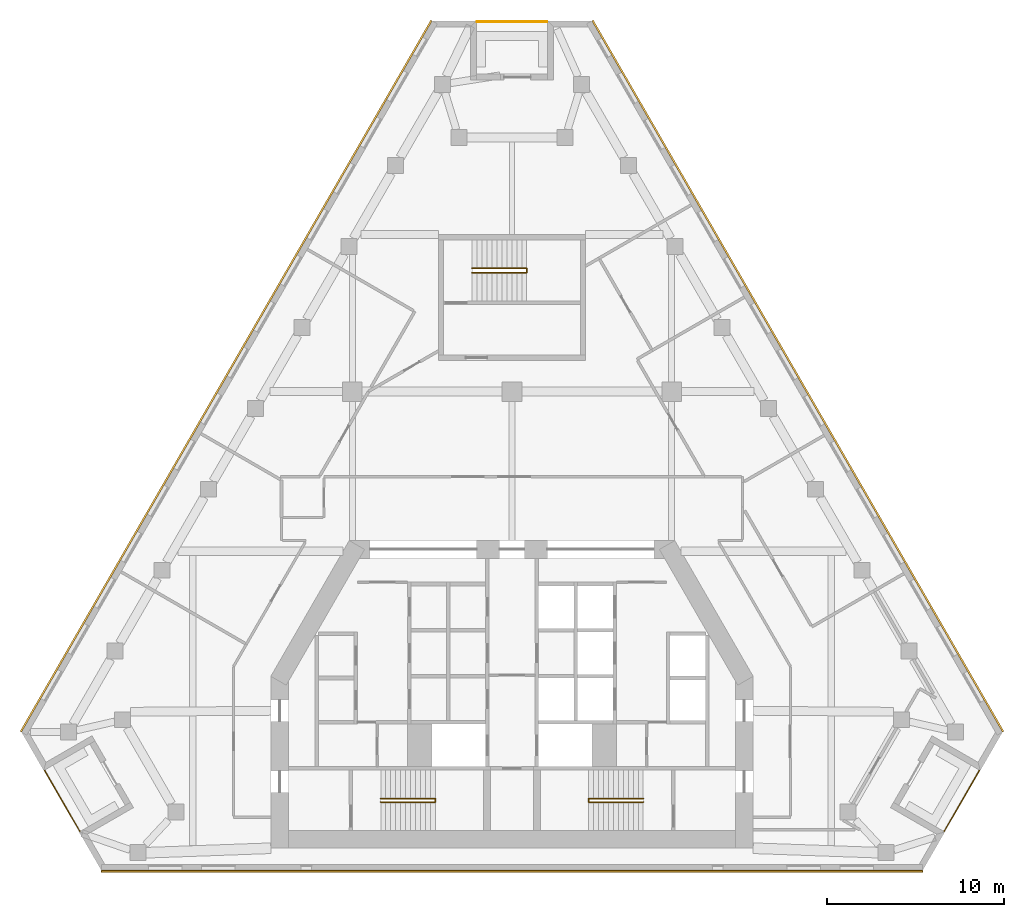
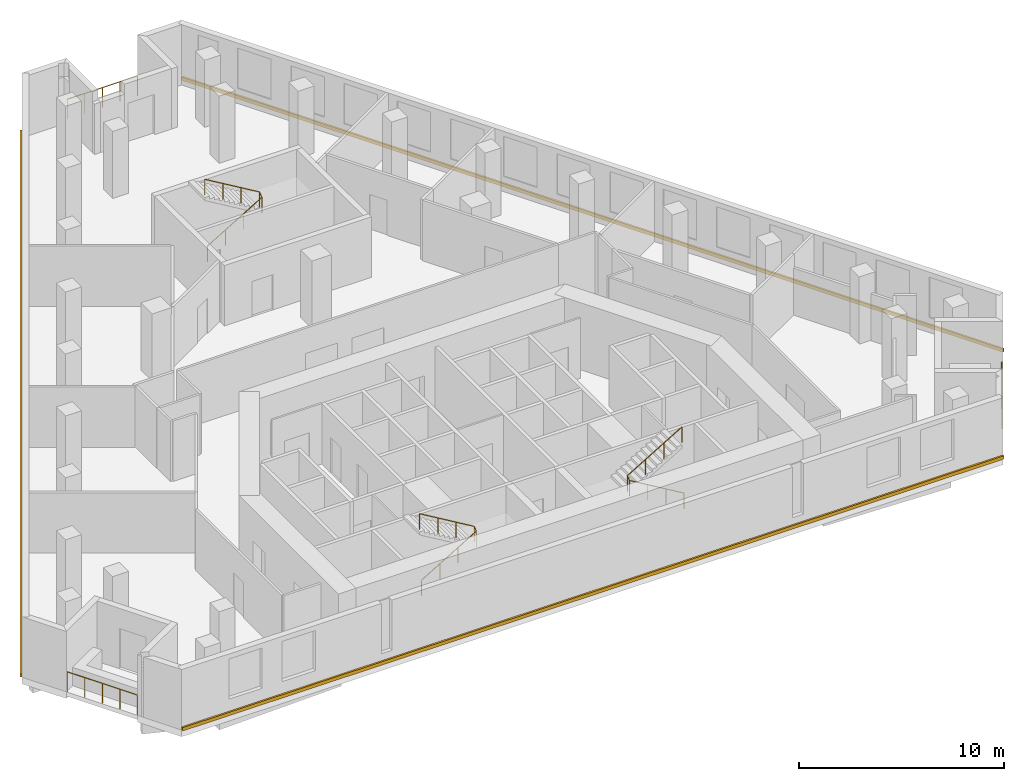
# One storey, part 9 of 9: 6 railings, 3 coverings.
"""IFC4 building model written with IfcOpenShell, lengths in metres."""

import ifcopenshell
import ifcopenshell.guid

model = None  # the IFC model being written
_history = None  # IfcOwnerHistory: only IFC2X3 demands one
_inside = {}  # id of a spatial element -> (the spatial element, [elements in it])
_under = {}  # id of a project, library or spatial element -> (it, [spatial elements below it])
_declared = {}  # id of a project -> (the project, [libraries it declares])
_typed = {}  # id of a type object -> (the type object, [elements of that type])
_made_of = {}  # id of a material, layer set ... -> (it, [elements and type objects made of it])


def new_model(schema):
    """Start an empty IFC model of exactly this schema.

    Asked for "IFC4X3", IfcOpenShell would pick the latest addendum, in which some entities
    have other attributes; the version numbers below select the first issue.
    IFC2X3 requires an IfcOwnerHistory on every rooted entity: one is made here for all.
    """
    global model, _history
    if schema == "IFC4X3":
        model = ifcopenshell.file(schema_version=(4, 3, 0, 0))
    else:
        model = ifcopenshell.file(schema=schema)
    _inside.clear()
    _under.clear()
    _declared.clear()
    _typed.clear()
    _made_of.clear()
    _history = None
    if model.schema == "IFC2X3":
        org = make("IfcOrganization", Name="unknown")
        user = make(
            "IfcPersonAndOrganization",
            ThePerson=make("IfcPerson", FamilyName="unknown"),
            TheOrganization=org,
        )
        app = make(
            "IfcApplication",
            ApplicationDeveloper=org,
            Version="unknown",
            ApplicationFullName="unknown",
            ApplicationIdentifier="unknown",
        )
        _history = make(
            "IfcOwnerHistory",
            OwningUser=user,
            OwningApplication=app,
            ChangeAction="ADDED",
            CreationDate=0,
        )
    return model


def make(cls, **values):
    """One entity of the class cls with the attributes given. An attribute that is None is left unset."""
    return model.create_entity(
        cls, **{name: value for name, value in values.items() if value is not None}
    )


def rooted(cls, **values):
    """An entity with a GlobalId (a new one), such as an element, a storey or a relation."""
    return make(cls, GlobalId=ifcopenshell.guid.new(), OwnerHistory=_history, **values)


def si_unit(unit_type, name, prefix=None):
    """IfcSIUnit, for example si_unit("LENGTHUNIT", "METRE", prefix="MILLI")."""
    return make("IfcSIUnit", UnitType=unit_type, Prefix=prefix, Name=name)


def assignment(units):
    """IfcUnitAssignment: the units of a project."""
    return None if units is None else make("IfcUnitAssignment", Units=units)


def point(xyz):
    """IfcCartesianPoint."""
    return None if xyz is None else make("IfcCartesianPoint", Coordinates=xyz)


def direction(xyz):
    """IfcDirection."""
    return None if xyz is None else make("IfcDirection", DirectionRatios=xyz)


def frame(location, z_axis=None, x_axis=None):
    """IfcAxis2Placement3D, a coordinate frame: its origin and axes. An axis left out is left unset."""
    return make(
        "IfcAxis2Placement3D",
        Location=point(location),
        Axis=direction(z_axis),
        RefDirection=direction(x_axis),
    )


def frame_2d(location, x_axis=None):
    """IfcAxis2Placement2D, a coordinate frame in the plane: its origin and x axis."""
    return make(
        "IfcAxis2Placement2D", Location=point(location), RefDirection=direction(x_axis)
    )


def origin():
    """The frame at (0, 0, 0) with its axes left unset."""
    return frame((0.0, 0.0, 0.0))


def origin_2d():
    """The frame at (0, 0) in the plane with its x axis left unset."""
    return frame_2d((0.0, 0.0))


def place(relative_to, where):
    """IfcLocalPlacement: puts the frame where relative to a parent placement (None: the world)."""
    return make(
        "IfcLocalPlacement", PlacementRelTo=relative_to, RelativePlacement=where
    )


def context(
    kind, dimensions, precision=None, world=None, true_north=None, identifier=None
):
    """IfcGeometricRepresentationContext, for example the 3D "Model" context."""
    return make(
        "IfcGeometricRepresentationContext",
        ContextIdentifier=identifier,
        ContextType=kind,
        CoordinateSpaceDimension=dimensions,
        Precision=precision,
        WorldCoordinateSystem=world,
        TrueNorth=true_north,
    )


def subcontext(parent, identifier, kind, view, scale=None):
    """IfcGeometricRepresentationSubContext, for example "Body" below "Model"."""
    return make(
        "IfcGeometricRepresentationSubContext",
        ContextIdentifier=identifier,
        ContextType=kind,
        ParentContext=parent,
        TargetScale=scale,
        TargetView=view,
    )


def project(units=None, contexts=None):
    """IfcProject with its units and contexts."""
    return rooted(
        "IfcProject",
        Name="project",
        RepresentationContexts=contexts,
        UnitsInContext=assignment(units),
    )


def spatial(cls, under=None, at=None, **own):
    """A site, building, storey or space (cls), placed at a placement, below another one or the project."""
    s = rooted(cls, ObjectPlacement=at, **own)
    if under is not None:
        _under.setdefault(under.id(), (under, []))[1].append(s)
    return s


def polyline(points):
    """IfcPolyline through the points."""
    return make("IfcPolyline", Points=[point(p) for p in points])


def profile(cls, at=None, kind="AREA", **sizes):
    """A parametric profile (cls). Its sizes go by their IFC names, for example OverallWidth=200.0."""
    return make(cls, ProfileType=kind, Position=at, **sizes)


def circle(**sizes):
    """IfcCircleProfileDef."""
    return profile("IfcCircleProfileDef", **sizes)


def outline(outer, holes=None, kind="AREA"):
    """IfcArbitraryClosedProfileDef: a profile drawn as a closed curve; with holes, ...WithVoids."""
    if holes is None:
        return make("IfcArbitraryClosedProfileDef", ProfileType=kind, OuterCurve=outer)
    return make(
        "IfcArbitraryProfileDefWithVoids",
        ProfileType=kind,
        OuterCurve=outer,
        InnerCurves=holes,
    )


def extrude(swept, where, along, depth):
    """IfcExtrudedAreaSolid: the profile swept, set in the frame where, extruded along a direction by depth."""
    return make(
        "IfcExtrudedAreaSolid",
        SweptArea=swept,
        Position=where,
        ExtrudedDirection=direction(along),
        Depth=depth,
    )


def shape(context_of_items, identifier, shape_type, items):
    """IfcShapeRepresentation: the items that make up one representation, for example the "Body"."""
    return make(
        "IfcShapeRepresentation",
        ContextOfItems=context_of_items,
        RepresentationIdentifier=identifier,
        RepresentationType=shape_type,
        Items=items,
    )


def material(Name=None, Category=None):
    """IfcMaterial."""
    return make("IfcMaterial", Name=Name, Category=Category)


def made_of(thing, what):
    """Note that an element or type object is made of a material, layer set ...; save() writes the relation."""
    if what is not None:
        _made_of.setdefault(what.id(), (what, []))[1].append(thing)
    return thing


def type_object(cls, material=None, **own):
    """A type object (cls), such as IfcWallType, which elements share."""
    return made_of(rooted(cls, **own), material)


def element(
    cls,
    number,
    at=None,
    inside=None,
    cuts=None,
    type_object=None,
    material=None,
    context=None,
    identifier="Body",
    shape_type=None,
    held_by="IfcProductDefinitionShape",
    body=None,
    shapes=None,
    **own,
):
    """One element of the class cls, such as IfcWall. Its Tag is "e" and its number.

    at: its placement. inside: the storey or other place that contains it. cuts: it is an
    opening in that element (IfcRelVoidsElement). A single representation is given by context,
    identifier, shape_type and body (its items); several are given by shapes. held_by: the class
    of the entity that holds the representations. save() writes the other relations.
    """
    e = rooted(cls, Tag="e%d" % number, ObjectPlacement=at, **own)
    if body is not None:
        shapes = [shape(context, identifier, shape_type, body)]
    if shapes is not None:
        e.Representation = make(held_by, Representations=shapes)
    if inside is not None:
        _inside.setdefault(inside.id(), (inside, []))[1].append(e)
    if cuts is not None:
        rooted(
            "IfcRelVoidsElement", RelatingBuildingElement=cuts, RelatedOpeningElement=e
        )
    if type_object is not None:
        _typed.setdefault(type_object.id(), (type_object, []))[1].append(e)
    return made_of(e, material)


def aggregate(whole, parts):
    """IfcRelAggregates: a whole, such as a stair, and the parts it consists of."""
    return rooted("IfcRelAggregates", RelatingObject=whole, RelatedObjects=parts)


def save(model, path):
    """Write the relations noted so far, then the file.

    IfcRelAggregates (storeys below a building ...), IfcRelContainedInSpatialStructure (elements
    in a storey), IfcRelDefinesByType, IfcRelAssociatesMaterial and IfcRelDeclares: one each for
    every whole, place, type object, material and project.
    """
    for whole, parts in _under.values():
        aggregate(whole, parts)
    for where, things in _inside.values():
        rooted(
            "IfcRelContainedInSpatialStructure",
            RelatedElements=things,
            RelatingStructure=where,
        )
    for kind, things in _typed.values():
        rooted("IfcRelDefinesByType", RelatedObjects=things, RelatingType=kind)
    for what, things in _made_of.values():
        rooted("IfcRelAssociatesMaterial", RelatedObjects=things, RelatingMaterial=what)
    for by, libraries in _declared.values():
        rooted("IfcRelDeclares", RelatingContext=by, RelatedDefinitions=libraries)
    model.write(path)


model = new_model("IFC4")

# Units and contexts
model_context = context("Model", 3, precision=1e-05, world=origin(), true_north=direction((0.0, 1.0)))
body_context = subcontext(model_context, "Body", "Model", "MODEL_VIEW")
ifc_project = project(units=[si_unit("LENGTHUNIT", "METRE"), si_unit("AREAUNIT", "SQUARE_METRE"), si_unit("VOLUMEUNIT", "CUBIC_METRE"), si_unit("PLANEANGLEUNIT", "RADIAN"), si_unit("MASSUNIT", "GRAM", prefix="KILO")], contexts=[model_context])

# Site, building, storey
site_placement = place(None, origin())
site = spatial("IfcSite", under=ifc_project, at=site_placement, CompositionType="ELEMENT")
building_placement = place(site_placement, origin())
building = spatial("IfcBuilding", under=site, at=building_placement, Name="Fogline Exchange Tower", CompositionType="ELEMENT")
storey_placement = place(building_placement, frame((0.0, 0.0, 198.10009765625)))
storey = spatial("IfcBuildingStorey", under=building, at=storey_placement, Name="L44", CompositionType="ELEMENT", Elevation=198.10009765625)

# Railings
ifc_material_1 = material(Name="Stainless steel 304", Category="steel")
railing_type_1 = type_object("IfcRailingType", Name="G1", PredefinedType="GUARDRAIL", material=ifc_material_1)
railing_1_placement = place(storey_placement, frame((-26.35498046875, 5.635986328125, 0.0)))
element("IfcRailing", 1, at=railing_1_placement, inside=storey, type_object=railing_type_1, Name="Balcony guard L44 SW", PredefinedType="GUARDRAIL", context=body_context, shape_type="SweptSolid", body=[
    extrude(circle(Radius=0.02392578125, at=origin_2d()), frame((0.0, 0.0, 1.17578125), z_axis=(0.499953838557, -0.866052053466, 0.0), x_axis=(0.866052053466, 0.499953838557, 0.0)), (0.0, 0.0, 1.0), 3.957763671875),
    extrude(circle(Radius=0.02099609375, at=origin_2d()), origin(), (0.0, 0.0, 1.0), 1.15185546875),
    extrude(circle(Radius=0.02099609375, at=origin_2d()), frame((0.49462890625, -0.85693359375, 0.0)), (0.0, 0.0, 1.0), 1.15185546875),
    extrude(circle(Radius=0.02099609375, at=origin_2d()), frame((0.9892578125, -1.7138671875, 0.0)), (0.0, 0.0, 1.0), 1.15185546875),
    extrude(circle(Radius=0.02099609375, at=origin_2d()), frame((1.484130859375, -2.57080078125, 0.0)), (0.0, 0.0, 1.0), 1.15185546875),
    extrude(circle(Radius=0.02099609375, at=origin_2d()), frame((1.978759765625, -3.427734375, 0.0)), (0.0, 0.0, 1.0), 1.15185546875),
])
railing_2_placement = place(storey_placement, frame((24.376220703125, 2.208251953125, 0.0)))
element("IfcRailing", 2, at=railing_2_placement, inside=storey, type_object=railing_type_1, Name="Balcony guard L44 SE", PredefinedType="GUARDRAIL", context=body_context, shape_type="SweptSolid", body=[
    extrude(circle(Radius=0.02392578125, at=origin_2d()), frame((0.0, 0.0, 1.17578125), z_axis=(0.499953838557, 0.866052053466, 0.0), x_axis=(-0.866052053466, 0.499953838557, 0.0)), (0.0, 0.0, 1.0), 3.957763671875),
    extrude(circle(Radius=0.02099609375, at=origin_2d()), origin(), (0.0, 0.0, 1.0), 1.15185546875),
    extrude(circle(Radius=0.02099609375, at=origin_2d()), frame((0.49462890625, 0.85693359375, 0.0)), (0.0, 0.0, 1.0), 1.15185546875),
    extrude(circle(Radius=0.02099609375, at=origin_2d()), frame((0.9892578125, 1.7138671875, 0.0)), (0.0, 0.0, 1.0), 1.15185546875),
    extrude(circle(Radius=0.02099609375, at=origin_2d()), frame((1.484130859375, 2.57080078125, 0.0)), (0.0, 0.0, 1.0), 1.15185546875),
    extrude(circle(Radius=0.02099609375, at=origin_2d()), frame((1.978759765625, 3.427734375, 0.0)), (0.0, 0.0, 1.0), 1.15185546875),
])
railing_3_placement = place(storey_placement, frame((1.97900390625, 47.856689453125, 0.0)))
element("IfcRailing", 3, at=railing_3_placement, inside=storey, type_object=railing_type_1, Name="Balcony guard L44 N", PredefinedType="GUARDRAIL", context=body_context, shape_type="SweptSolid", body=[
    extrude(circle(Radius=0.02392578125, at=origin_2d()), frame((0.0, 0.0, 1.17578125), z_axis=(-1.0, 0.0, 0.0), x_axis=(0.0, -1.0, 0.0)), (0.0, 0.0, 1.0), 3.9580078125),
    extrude(circle(Radius=0.02099609375, at=origin_2d()), origin(), (0.0, 0.0, 1.0), 1.15185546875),
    extrude(circle(Radius=0.02099609375, at=origin_2d()), frame((-0.989501953125, 0.0, 0.0)), (0.0, 0.0, 1.0), 1.15185546875),
    extrude(circle(Radius=0.02099609375, at=origin_2d()), frame((-1.97900390625, 0.0, 0.0)), (0.0, 0.0, 1.0), 1.15185546875),
    extrude(circle(Radius=0.02099609375, at=origin_2d()), frame((-2.968505859375, 0.0, 0.0)), (0.0, 0.0, 1.0), 1.15185546875),
    extrude(circle(Radius=0.02099609375, at=origin_2d()), frame((-3.9580078125, 0.0, 0.0)), (0.0, 0.0, 1.0), 1.15185546875),
])
ifc_material_2 = material(Name="Steel Q235B", Category="steel")
railing_type_2 = type_object("IfcRailingType", Name="RL-HR", PredefinedType="HANDRAIL", material=ifc_material_2)
railing_4_placement = place(storey_placement, frame((-7.39990234375, 3.85009765625, 0.16650390625)))
element("IfcRailing", 4, at=railing_4_placement, inside=storey, type_object=railing_type_2, Name="Handrail ST1", PredefinedType="HANDRAIL", context=body_context, shape_type="SweptSolid", body=[
    extrude(circle(Radius=0.02392578125, at=origin_2d()), frame((0.0, 0.0, 0.92578125), z_axis=(0.859260807169, 0.0, 0.511537745687), x_axis=(0.0, 1.0, 0.0)), (0.0, 0.0, 1.0), 3.584228515625),
    extrude(circle(Radius=0.02392578125, at=origin_2d()), frame((3.079833984375, 0.0, 2.75927734375), z_axis=(0.0, 0.768451954486, 0.639907488351), x_axis=(-1.0, 0.0, 0.0)), (0.0, 0.0, 1.0), 0.26025390625),
    extrude(circle(Radius=0.02392578125, at=origin_2d()), frame((3.079833984375, 0.199951171875, 2.92578125), z_axis=(-0.859260807169, 0.0, 0.511537745687), x_axis=(0.0, -1.0, 0.0)), (0.0, 0.0, 1.0), 3.584228515625),
    extrude(circle(Radius=0.02099609375, at=origin_2d()), origin(), (0.0, 0.0, 1.0), 0.90185546875),
    extrude(circle(Radius=0.02099609375, at=origin_2d()), frame((1.026611328125, 0.0, 0.611083984375)), (0.0, 0.0, 1.0), 0.90185546875),
    extrude(circle(Radius=0.02099609375, at=origin_2d()), frame((2.05322265625, 0.0, 1.222412109375)), (0.0, 0.0, 1.0), 0.90185546875),
    extrude(circle(Radius=0.02099609375, at=origin_2d()), frame((3.079833984375, 0.0, 1.83349609375)), (0.0, 0.0, 1.0), 0.90185546875),
    extrude(circle(Radius=0.02099609375, at=origin_2d()), frame((3.079833984375, 0.199951171875, 2.0)), (0.0, 0.0, 1.0), 0.90185546875),
    extrude(circle(Radius=0.02099609375, at=origin_2d()), frame((2.05322265625, 0.199951171875, 2.611083984375)), (0.0, 0.0, 1.0), 0.90185546875),
    extrude(circle(Radius=0.02099609375, at=origin_2d()), frame((1.026611328125, 0.199951171875, 3.222412109375)), (0.0, 0.0, 1.0), 0.90185546875),
    extrude(circle(Radius=0.02099609375, at=origin_2d()), frame((0.0, 0.199951171875, 3.83349609375)), (0.0, 0.0, 1.0), 0.90185546875),
])
railing_5_placement = place(storey_placement, frame((7.39990234375, 3.85009765625, 0.16650390625)))
element("IfcRailing", 5, at=railing_5_placement, inside=storey, type_object=railing_type_2, Name="Handrail ST2", PredefinedType="HANDRAIL", context=body_context, shape_type="SweptSolid", body=[
    extrude(circle(Radius=0.02392578125, at=origin_2d()), frame((0.0, 0.0, 0.92578125), z_axis=(-0.859260807169, 0.0, 0.511537745687), x_axis=(0.0, -1.0, 0.0)), (0.0, 0.0, 1.0), 3.584228515625),
    extrude(circle(Radius=0.02392578125, at=origin_2d()), frame((-3.079833984375, 0.0, 2.75927734375), z_axis=(0.0, 0.768451954486, 0.639907488351), x_axis=(-1.0, 0.0, 0.0)), (0.0, 0.0, 1.0), 0.26025390625),
    extrude(circle(Radius=0.02392578125, at=origin_2d()), frame((-3.079833984375, 0.199951171875, 2.92578125), z_axis=(0.859260807169, 0.0, 0.511537745687), x_axis=(0.0, 1.0, 0.0)), (0.0, 0.0, 1.0), 3.584228515625),
    extrude(circle(Radius=0.02099609375, at=origin_2d()), origin(), (0.0, 0.0, 1.0), 0.90185546875),
    extrude(circle(Radius=0.02099609375, at=origin_2d()), frame((-1.026611328125, 0.0, 0.611083984375)), (0.0, 0.0, 1.0), 0.90185546875),
    extrude(circle(Radius=0.02099609375, at=origin_2d()), frame((-2.05322265625, 0.0, 1.222412109375)), (0.0, 0.0, 1.0), 0.90185546875),
    extrude(circle(Radius=0.02099609375, at=origin_2d()), frame((-3.079833984375, 0.0, 1.83349609375)), (0.0, 0.0, 1.0), 0.90185546875),
    extrude(circle(Radius=0.02099609375, at=origin_2d()), frame((-3.079833984375, 0.199951171875, 2.0)), (0.0, 0.0, 1.0), 0.90185546875),
    extrude(circle(Radius=0.02099609375, at=origin_2d()), frame((-2.05322265625, 0.199951171875, 2.611083984375)), (0.0, 0.0, 1.0), 0.90185546875),
    extrude(circle(Radius=0.02099609375, at=origin_2d()), frame((-1.026611328125, 0.199951171875, 3.222412109375)), (0.0, 0.0, 1.0), 0.90185546875),
    extrude(circle(Radius=0.02099609375, at=origin_2d()), frame((0.0, 0.199951171875, 3.83349609375)), (0.0, 0.0, 1.0), 0.90185546875),
])
railing_6_placement = place(storey_placement, frame((-2.25, 33.70703125, 0.16650390625)))
element("IfcRailing", 6, at=railing_6_placement, inside=storey, type_object=railing_type_2, Name="Handrail ST3", PredefinedType="HANDRAIL", context=body_context, shape_type="SweptSolid", body=[
    extrude(circle(Radius=0.02392578125, at=origin_2d()), frame((0.0, 0.0, 0.92578125), z_axis=(0.85927862911, 0.0, 0.511507807912), x_axis=(0.0, 1.0, 0.0)), (0.0, 0.0, 1.0), 3.58447265625),
    extrude(circle(Radius=0.02392578125, at=origin_2d()), frame((3.080078125, 0.0, 2.75927734375), z_axis=(0.0, 0.832300300006, 0.554325004496), x_axis=(-1.0, 0.0, 0.0)), (0.0, 0.0, 1.0), 0.30029296875),
    extrude(circle(Radius=0.02392578125, at=origin_2d()), frame((3.080078125, 0.25, 2.92578125), z_axis=(-0.85927862911, 0.0, 0.511507807912), x_axis=(0.0, -1.0, 0.0)), (0.0, 0.0, 1.0), 3.58447265625),
    extrude(circle(Radius=0.02099609375, at=origin_2d()), origin(), (0.0, 0.0, 1.0), 0.90185546875),
    extrude(circle(Radius=0.02099609375, at=origin_2d()), frame((1.026611328125, 0.0, 0.611083984375)), (0.0, 0.0, 1.0), 0.90185546875),
    extrude(circle(Radius=0.02099609375, at=origin_2d()), frame((2.053466796875, 0.0, 1.222412109375)), (0.0, 0.0, 1.0), 0.90185546875),
    extrude(circle(Radius=0.02099609375, at=origin_2d()), frame((3.080078125, 0.0, 1.83349609375)), (0.0, 0.0, 1.0), 0.90185546875),
    extrude(circle(Radius=0.02099609375, at=origin_2d()), frame((3.080078125, 0.25, 2.0)), (0.0, 0.0, 1.0), 0.90185546875),
    extrude(circle(Radius=0.02099609375, at=origin_2d()), frame((2.053466796875, 0.25, 2.611083984375)), (0.0, 0.0, 1.0), 0.90185546875),
    extrude(circle(Radius=0.02099609375, at=origin_2d()), frame((1.026611328125, 0.25, 3.222412109375)), (0.0, 0.0, 1.0), 0.90185546875),
    extrude(circle(Radius=0.02099609375, at=origin_2d()), frame((0.0, 0.25, 3.83349609375)), (0.0, 0.0, 1.0), 0.90185546875),
])

# Coverings
ifc_material_3 = material(Name="Brick masonry", Category="masonry")
covering_type = type_object("IfcCoveringType", Name="SB1", PredefinedType="CLADDING", material=ifc_material_3)
covering_1_placement = place(storey_placement, origin())
element("IfcCovering", 7, at=covering_1_placement, inside=storey, type_object=covering_type, Name="Stringcourse band L44 S", PredefinedType="CLADDING", context=body_context, shape_type="SweptSolid", body=[
    extrude(outline(polyline([(-23.158935546875, 0.0), (-23.158935546875, -0.10009765625), (23.158935546875, -0.10009765625), (23.158935546875, 0.0), (-23.158935546875, 0.0)])), origin(), (0.0, 0.0, 1.0), 0.199951171875),
])
covering_2_placement = place(storey_placement, origin())
element("IfcCovering", 8, at=covering_2_placement, inside=storey, type_object=covering_type, Name="Stringcourse band L44 E", PredefinedType="CLADDING", context=body_context, shape_type="SweptSolid", body=[
    extrude(outline(polyline([(27.658935546875, 7.794189453125), (27.74560546875, 7.84423828125), (4.586669921875, 47.956787109375), (4.5, 47.90673828125), (27.658935546875, 7.794189453125)])), origin(), (0.0, 0.0, 1.0), 0.199951171875),
])
covering_3_placement = place(storey_placement, origin())
element("IfcCovering", 9, at=covering_3_placement, inside=storey, type_object=covering_type, Name="Stringcourse band L44 W", PredefinedType="CLADDING", context=body_context, shape_type="SweptSolid", body=[
    extrude(outline(polyline([(-4.5, 47.90673828125), (-4.586669921875, 47.956787109375), (-27.74560546875, 7.84423828125), (-27.658935546875, 7.794189453125), (-4.5, 47.90673828125)])), origin(), (0.0, 0.0, 1.0), 0.199951171875),
])

save(model, "model.ifc")
